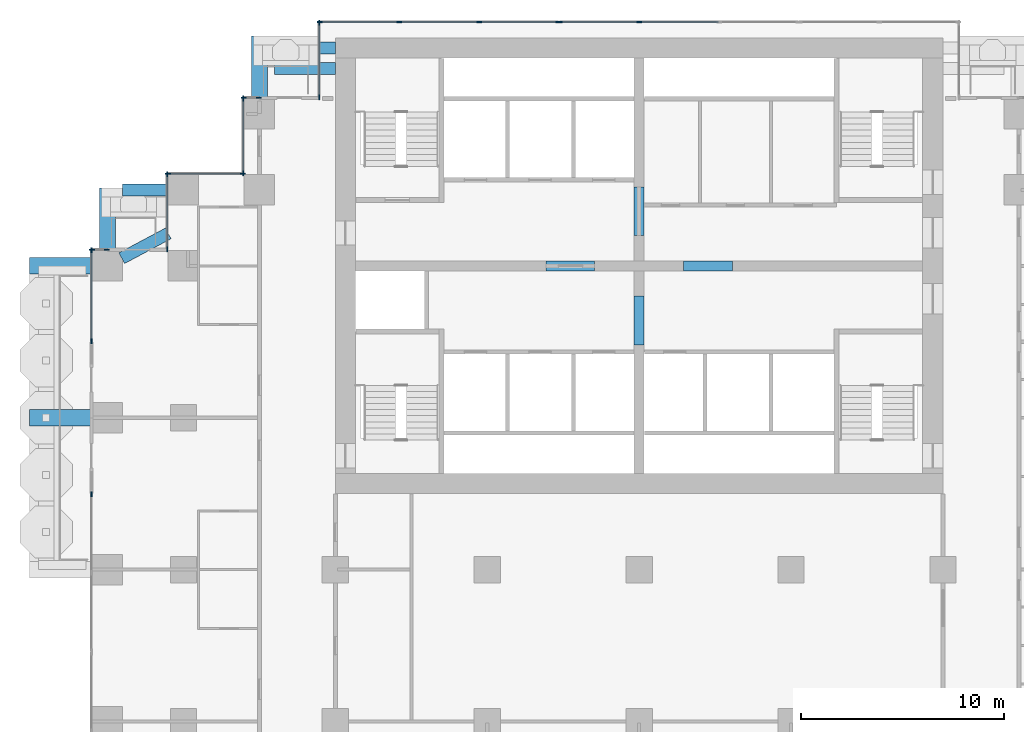
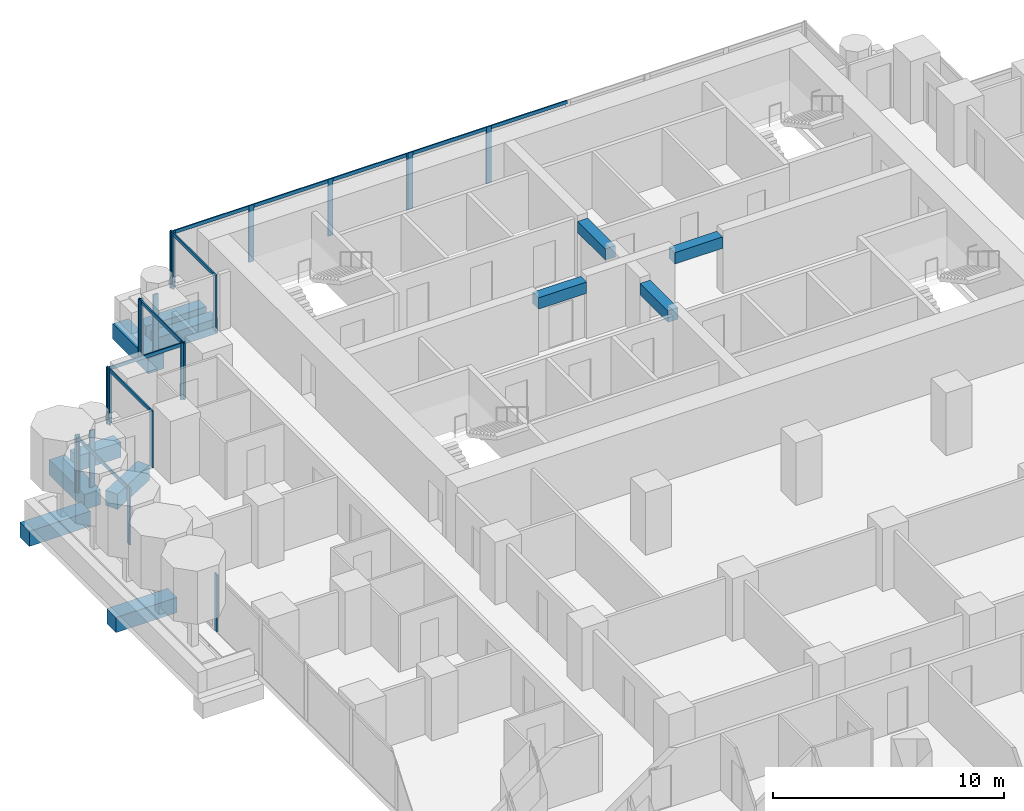
# One storey, part 5 of 18: 31 members, 12 beams, 10 elements without a shape of their own.
"""IFC4 building model written with IfcOpenShell, lengths in metres."""

from ifc_helpers import new_model, si_unit, direction, frame, origin, origin_2d, place, context, subcontext, project, spatial, rectangle, extrude, material, material_profile, profile_set, type_object, element, aggregate, save


model = new_model("IFC4")

# Units and contexts
model_context = context("Model", 3, precision=1e-05, world=origin(), true_north=direction((0.0, 1.0)))
body_context = subcontext(model_context, "Body", "Model", "MODEL_VIEW")
ifc_project = project(units=[si_unit("LENGTHUNIT", "METRE"), si_unit("AREAUNIT", "SQUARE_METRE"), si_unit("VOLUMEUNIT", "CUBIC_METRE"), si_unit("PLANEANGLEUNIT", "RADIAN"), si_unit("MASSUNIT", "GRAM", prefix="KILO")], contexts=[model_context])

# Site, building, storey
site_placement = place(None, origin())
site = spatial("IfcSite", under=ifc_project, at=site_placement, CompositionType="ELEMENT")
building_placement = place(site_placement, origin())
building = spatial("IfcBuilding", under=site, at=building_placement, Name="Pilkhan Gate Tower", CompositionType="ELEMENT")
storey_placement = place(building_placement, frame((0.0, 0.0, 56.0)))
storey = spatial("IfcBuildingStorey", under=building, at=storey_placement, Name="L11", CompositionType="ELEMENT", Elevation=56.0)

# Beams
ifc_material_1 = material(Name="Concrete C50/60", Category="concrete")
ifc_material_profile_1 = material_profile(ifc_material_1, rectangle(XDim=0.60009765625, YDim=0.800048828125, at=origin_2d()), Name="RC 600x800")
ifc_profile_set_1 = profile_set([ifc_material_profile_1], Name="Concrete C50/60")
beam_type_1 = type_object("IfcBeamType", Name="Cantilever beam CB1 RC 600x800 C50/60", PredefinedType="BEAM", material=ifc_profile_set_1)
for number, where, z_axis, x_axis, name in (
    (1, (60.0, 93.25, -0.699951171875), (-1.0, 0.0, 0.0), (0.0, -1.0, 0.0), "Balcony beam NW.2 L11"),
    (2, (60.0, 92.25, -0.699951171875), (-1.0, 0.0, 0.0), (0.0, -1.0, 0.0), "Balcony beam NW.3 L11"),
):
    element("IfcBeam", number, at=place(storey_placement, frame(where, z_axis=z_axis, x_axis=x_axis)), inside=storey, type_object=beam_type_1, Name=name, PredefinedType="BEAM", context=body_context, shape_type="SweptSolid", body=[
        extrude(rectangle(XDim=0.60009765625, YDim=0.800048828125, at=origin_2d()), origin(), (0.0, 0.0, 1.0), 3.0),
    ])
beam_1_placement = place(storey_placement, frame((51.699951171875, 86.25, -0.699951171875), z_axis=(-1.0, 0.0, 0.0), x_axis=(0.0, -1.0, 0.0)))
element("IfcBeam", 3, at=beam_1_placement, inside=storey, type_object=beam_type_1, Name="Balcony beam NW2.2 L11", PredefinedType="BEAM", context=body_context, shape_type="SweptSolid", body=[
    extrude(rectangle(XDim=0.60009765625, YDim=0.800048828125, at=origin_2d()), origin(), (0.0, 0.0, 1.0), 2.199951171875),
])
beam_2_placement = place(storey_placement, frame((49.455810546875, 82.87646484375, -0.699951171875), z_axis=(0.882342544151, 0.470607729199, 0.0), x_axis=(-0.470607729199, 0.882342544151, 0.0)))
element("IfcBeam", 4, at=beam_2_placement, inside=storey, type_object=beam_type_1, Name="Balcony beam NW2.3 L11", PredefinedType="BEAM", context=body_context, shape_type="SweptSolid", body=[
    extrude(rectangle(XDim=0.60009765625, YDim=0.800048828125, at=origin_2d()), origin(), (0.0, 0.0, 1.0), 2.60009765625),
])
ifc_material_profile_2 = material_profile(ifc_material_1, rectangle(XDim=0.800048828125, YDim=0.800048828125, at=origin_2d()), Name="RC 800x800")
ifc_profile_set_2 = profile_set([ifc_material_profile_2], Name="Concrete C50/60")
beam_type_2 = type_object("IfcBeamType", Name="Cantilever beam CB2 RC 800x800 C50/60", PredefinedType="BEAM", material=ifc_profile_set_2)
for number, where, z_axis, x_axis, name in (
    (5, (56.25, 90.800048828125, -0.699951171875), (0.0, 1.0, 0.0), (-1.0, 0.0, 0.0), "Balcony beam NW.1 L11"),
    (6, (48.75, 83.300048828125, -0.699951171875), (0.0, 1.0, 0.0), (-1.0, 0.0, 0.0), "Balcony beam NW2.1 L11"),
    (7, (47.949951171875, 75.0, -0.699951171875), (-1.0, 0.0, 0.0), (0.0, -1.0, 0.0), "Balcony beam W.2 L11"),
    (8, (47.949951171875, 82.5, -0.699951171875), (-1.0, 0.0, 0.0), (0.0, -1.0, 0.0), "Balcony beam W.3 L11"),
):
    element("IfcBeam", number, at=place(storey_placement, frame(where, z_axis=z_axis, x_axis=x_axis)), inside=storey, type_object=beam_type_2, Name=name, PredefinedType="BEAM", context=body_context, shape_type="SweptSolid", body=[
        extrude(rectangle(XDim=0.800048828125, YDim=0.800048828125, at=origin_2d()), origin(), (0.0, 0.0, 1.0), 3.050048828125),
    ])
ifc_material_2 = material(Name="Concrete C70/85", Category="concrete")
ifc_material_profile_3 = material_profile(ifc_material_2, rectangle(XDim=0.5, YDim=0.60009765625, at=origin_2d()), Name="RC 500x600")
ifc_profile_set_3 = profile_set([ifc_material_profile_3], Name="Concrete C70/85")
beam_type_3 = type_object("IfcBeamType", Name="Coupling beam CB60 RC 500x600 C70/85", PredefinedType="LINTEL", material=ifc_profile_set_3)
for number, where, z_axis, x_axis, name in (
    (9, (70.39990234375, 82.5, 2.699951171875), (1.0, 0.0, 0.0), (0.0, 1.0, 0.0), "Coupling beam 1 L11"),
    (10, (77.199951171875, 82.5, 2.699951171875), (1.0, 0.0, 0.0), (0.0, 1.0, 0.0), "Coupling beam 2 L11"),
):
    element("IfcBeam", number, at=place(storey_placement, frame(where, z_axis=z_axis, x_axis=x_axis)), inside=storey, type_object=beam_type_3, Name=name, PredefinedType="LINTEL", context=body_context, shape_type="SweptSolid", body=[
        extrude(rectangle(XDim=0.5, YDim=0.60009765625, at=origin_2d()), origin(), (0.0, 0.0, 1.0), 2.400146484375),
    ])
for number, where, z_axis, x_axis, name in (
    (11, (75.0, 78.60009765625, 2.699951171875), (0.0, 1.0, 0.0), (-1.0, 0.0, 0.0), "Coupling beam 3 L11"),
    (12, (75.0, 84.0, 2.699951171875), (0.0, 1.0, 0.0), (-1.0, 0.0, 0.0), "Coupling beam 4 L11"),
):
    element("IfcBeam", number, at=place(storey_placement, frame(where, z_axis=z_axis, x_axis=x_axis)), inside=storey, type_object=beam_type_3, Name=name, PredefinedType="LINTEL", context=body_context, shape_type="SweptSolid", body=[
        extrude(rectangle(XDim=0.5, YDim=0.60009765625, at=origin_2d()), origin(), (0.0, 0.0, 1.0), 2.39990234375),
    ])

# Curtain wall, members
ifc_material_3 = material(Name="Pale anodised aluminium, clear low-iron double glazing", Category="aluminium")
curtain_wall_type = type_object("IfcCurtainWallType", Name="Hotel unitised curtain wall CW-H", PredefinedType="USERDEFINED", material=ifc_material_3)
curtain_wall_1_placement = place(storey_placement, origin())
curtain_wall_1 = element("IfcCurtainWall", 13, at=curtain_wall_1_placement, inside=storey, type_object=curtain_wall_type, Name="Hotel unitised curtain wall CW-H L11 N", ObjectType="UNITISED CURTAIN WALL", PredefinedType="USERDEFINED")
ifc_material_4 = material(Name="Pale anodised aluminium", Category="aluminium")
ifc_material_profile_4 = material_profile(ifc_material_4, rectangle(XDim=0.06494140625, YDim=0.25, at=origin_2d()), Name="Mullion 250x65")
ifc_profile_set_4 = profile_set([ifc_material_profile_4], Name="Pale anodised aluminium")
member_type_1 = type_object("IfcMemberType", Name="Mullion CW-H 250x65", PredefinedType="MULLION", material=ifc_profile_set_4)
member_1_placement = place(storey_placement, frame((59.237548828125, 94.544921875, 0.0), z_axis=(0.0, 0.0, 1.0), x_axis=(0.0, 1.0, 0.0)))
member_1 = element("IfcMember", 14, at=member_1_placement, type_object=member_type_1, Name="CW-H mullion 1", PredefinedType="MULLION", context=body_context, shape_type="SweptSolid", body=[
    extrude(rectangle(XDim=0.06494140625, YDim=0.25, at=origin_2d()), origin(), (0.0, 0.0, 1.0), 3.0),
])
member_2_placement = place(storey_placement, frame((63.15380859375, 94.544921875, 0.0), z_axis=(0.0, 0.0, 1.0), x_axis=(0.0, 1.0, 0.0)))
member_2 = element("IfcMember", 15, at=member_2_placement, type_object=member_type_1, Name="CW-H mullion 2", PredefinedType="MULLION", context=body_context, shape_type="SweptSolid", body=[
    extrude(rectangle(XDim=0.06494140625, YDim=0.25, at=origin_2d()), origin(), (0.0, 0.0, 1.0), 3.0),
])
member_3_placement = place(storey_placement, frame((67.1025390625, 94.544921875, 0.0), z_axis=(0.0, 0.0, 1.0), x_axis=(0.0, 1.0, 0.0)))
member_3 = element("IfcMember", 16, at=member_3_placement, type_object=member_type_1, Name="CW-H mullion 3", PredefinedType="MULLION", context=body_context, shape_type="SweptSolid", body=[
    extrude(rectangle(XDim=0.06494140625, YDim=0.25, at=origin_2d()), origin(), (0.0, 0.0, 1.0), 3.0),
])
member_4_placement = place(storey_placement, frame((71.018798828125, 94.544921875, 0.0), z_axis=(0.0, 0.0, 1.0), x_axis=(0.0, 1.0, 0.0)))
member_4 = element("IfcMember", 17, at=member_4_placement, type_object=member_type_1, Name="CW-H mullion 4", PredefinedType="MULLION", context=body_context, shape_type="SweptSolid", body=[
    extrude(rectangle(XDim=0.06494140625, YDim=0.25, at=origin_2d()), origin(), (0.0, 0.0, 1.0), 3.0),
])

curtain_wall_2_placement = place(storey_placement, origin())
curtain_wall_2 = element("IfcCurtainWall", 18, at=curtain_wall_2_placement, inside=storey, type_object=curtain_wall_type, Name="Hotel unitised curtain wall CW-H L11 N", ObjectType="UNITISED CURTAIN WALL", PredefinedType="USERDEFINED")
member_5_placement = place(storey_placement, frame((71.083740234375, 94.544921875, 0.0), z_axis=(0.0, 0.0, 1.0), x_axis=(0.0, 1.0, 0.0)))
member_5 = element("IfcMember", 19, at=member_5_placement, type_object=member_type_1, Name="CW-H mullion 1", PredefinedType="MULLION", context=body_context, shape_type="SweptSolid", body=[
    extrude(rectangle(XDim=0.06494140625, YDim=0.25, at=origin_2d()), origin(), (0.0, 0.0, 1.0), 3.0),
])
member_6_placement = place(storey_placement, frame((75.0, 94.544921875, 0.0), z_axis=(0.0, 0.0, 1.0), x_axis=(0.0, 1.0, 0.0)))
member_6 = element("IfcMember", 20, at=member_6_placement, type_object=member_type_1, Name="CW-H mullion 2", PredefinedType="MULLION", context=body_context, shape_type="SweptSolid", body=[
    extrude(rectangle(XDim=0.06494140625, YDim=0.25, at=origin_2d()), origin(), (0.0, 0.0, 1.0), 3.0),
])

curtain_wall_3_placement = place(storey_placement, origin())
curtain_wall_3 = element("IfcCurtainWall", 21, at=curtain_wall_3_placement, inside=storey, type_object=curtain_wall_type, Name="Hotel unitised curtain wall CW-H L11 W", ObjectType="UNITISED CURTAIN WALL", PredefinedType="USERDEFINED")
member_7_placement = place(storey_placement, frame((59.205078125, 90.827392578125, 0.0), z_axis=(0.0, 0.0, 1.0), x_axis=(-1.0, 0.0, 0.0)))
member_7 = element("IfcMember", 22, at=member_7_placement, type_object=member_type_1, Name="CW-H mullion 1", PredefinedType="MULLION", context=body_context, shape_type="SweptSolid", body=[
    extrude(rectangle(XDim=0.06494140625, YDim=0.25, at=origin_2d()), origin(), (0.0, 0.0, 1.0), 3.0),
])
member_8_placement = place(storey_placement, frame((59.205078125, 94.512451171875, 0.0), z_axis=(0.0, 0.0, 1.0), x_axis=(-1.0, 0.0, 0.0)))
member_8 = element("IfcMember", 23, at=member_8_placement, type_object=member_type_1, Name="CW-H mullion 2", PredefinedType="MULLION", context=body_context, shape_type="SweptSolid", body=[
    extrude(rectangle(XDim=0.06494140625, YDim=0.25, at=origin_2d()), origin(), (0.0, 0.0, 1.0), 3.0),
])

curtain_wall_4_placement = place(storey_placement, origin())
curtain_wall_4 = element("IfcCurtainWall", 24, at=curtain_wall_4_placement, inside=storey, type_object=curtain_wall_type, Name="Hotel unitised curtain wall CW-H L11 N", ObjectType="UNITISED CURTAIN WALL", PredefinedType="USERDEFINED")
member_9_placement = place(storey_placement, frame((55.487548828125, 90.794921875, 0.0), z_axis=(0.0, 0.0, 1.0), x_axis=(0.0, 1.0, 0.0)))
member_9 = element("IfcMember", 25, at=member_9_placement, type_object=member_type_1, Name="CW-H mullion 1", PredefinedType="MULLION", context=body_context, shape_type="SweptSolid", body=[
    extrude(rectangle(XDim=0.06494140625, YDim=0.25, at=origin_2d()), origin(), (0.0, 0.0, 1.0), 3.0),
])
member_10_placement = place(storey_placement, frame((56.217529296875, 90.794921875, 0.0), z_axis=(0.0, 0.0, 1.0), x_axis=(0.0, 1.0, 0.0)))
member_10 = element("IfcMember", 26, at=member_10_placement, type_object=member_type_1, Name="CW-H mullion 2", PredefinedType="MULLION", context=body_context, shape_type="SweptSolid", body=[
    extrude(rectangle(XDim=0.06494140625, YDim=0.25, at=origin_2d()), origin(), (0.0, 0.0, 1.0), 3.0),
])
aggregate(curtain_wall_4, [member_9, member_10])

curtain_wall_5_placement = place(storey_placement, origin())
curtain_wall_5 = element("IfcCurtainWall", 27, at=curtain_wall_5_placement, inside=storey, type_object=curtain_wall_type, Name="Hotel unitised curtain wall CW-H L11 W", ObjectType="UNITISED CURTAIN WALL", PredefinedType="USERDEFINED")
member_11_placement = place(storey_placement, frame((55.455078125, 87.077392578125, 0.0), z_axis=(0.0, 0.0, 1.0), x_axis=(-1.0, 0.0, 0.0)))
member_11 = element("IfcMember", 28, at=member_11_placement, type_object=member_type_1, Name="CW-H mullion 1", PredefinedType="MULLION", context=body_context, shape_type="SweptSolid", body=[
    extrude(rectangle(XDim=0.06494140625, YDim=0.25, at=origin_2d()), origin(), (0.0, 0.0, 1.0), 3.0),
])
member_12_placement = place(storey_placement, frame((55.455078125, 90.762451171875, 0.0), z_axis=(0.0, 0.0, 1.0), x_axis=(-1.0, 0.0, 0.0)))
member_12 = element("IfcMember", 29, at=member_12_placement, type_object=member_type_1, Name="CW-H mullion 2", PredefinedType="MULLION", context=body_context, shape_type="SweptSolid", body=[
    extrude(rectangle(XDim=0.06494140625, YDim=0.25, at=origin_2d()), origin(), (0.0, 0.0, 1.0), 3.0),
])

curtain_wall_6_placement = place(storey_placement, origin())
curtain_wall_6 = element("IfcCurtainWall", 30, at=curtain_wall_6_placement, inside=storey, type_object=curtain_wall_type, Name="Hotel unitised curtain wall CW-H L11 N", ObjectType="UNITISED CURTAIN WALL", PredefinedType="USERDEFINED")
member_13_placement = place(storey_placement, frame((51.737548828125, 87.044921875, 0.0), z_axis=(0.0, 0.0, 1.0), x_axis=(0.0, 1.0, 0.0)))
member_13 = element("IfcMember", 31, at=member_13_placement, type_object=member_type_1, Name="CW-H mullion 1", PredefinedType="MULLION", context=body_context, shape_type="SweptSolid", body=[
    extrude(rectangle(XDim=0.06494140625, YDim=0.25, at=origin_2d()), origin(), (0.0, 0.0, 1.0), 3.0),
])
member_14_placement = place(storey_placement, frame((55.422607421875, 87.044921875, 0.0), z_axis=(0.0, 0.0, 1.0), x_axis=(0.0, 1.0, 0.0)))
member_14 = element("IfcMember", 32, at=member_14_placement, type_object=member_type_1, Name="CW-H mullion 2", PredefinedType="MULLION", context=body_context, shape_type="SweptSolid", body=[
    extrude(rectangle(XDim=0.06494140625, YDim=0.25, at=origin_2d()), origin(), (0.0, 0.0, 1.0), 3.0),
])

curtain_wall_7_placement = place(storey_placement, origin())
curtain_wall_7 = element("IfcCurtainWall", 33, at=curtain_wall_7_placement, inside=storey, type_object=curtain_wall_type, Name="Hotel unitised curtain wall CW-H L11 W", ObjectType="UNITISED CURTAIN WALL", PredefinedType="USERDEFINED")
member_15_placement = place(storey_placement, frame((51.705078125, 83.327392578125, 0.0), z_axis=(0.0, 0.0, 1.0), x_axis=(-1.0, 0.0, 0.0)))
member_15 = element("IfcMember", 34, at=member_15_placement, type_object=member_type_1, Name="CW-H mullion 1", PredefinedType="MULLION", context=body_context, shape_type="SweptSolid", body=[
    extrude(rectangle(XDim=0.06494140625, YDim=0.25, at=origin_2d()), origin(), (0.0, 0.0, 1.0), 3.0),
])
member_16_placement = place(storey_placement, frame((51.705078125, 87.012451171875, 0.0), z_axis=(0.0, 0.0, 1.0), x_axis=(-1.0, 0.0, 0.0)))
member_16 = element("IfcMember", 35, at=member_16_placement, type_object=member_type_1, Name="CW-H mullion 2", PredefinedType="MULLION", context=body_context, shape_type="SweptSolid", body=[
    extrude(rectangle(XDim=0.06494140625, YDim=0.25, at=origin_2d()), origin(), (0.0, 0.0, 1.0), 3.0),
])

curtain_wall_8_placement = place(storey_placement, origin())
curtain_wall_8 = element("IfcCurtainWall", 36, at=curtain_wall_8_placement, inside=storey, type_object=curtain_wall_type, Name="Hotel unitised curtain wall CW-H L11 N", ObjectType="UNITISED CURTAIN WALL", PredefinedType="USERDEFINED")
member_17_placement = place(storey_placement, frame((47.987548828125, 83.294921875, 0.0), z_axis=(0.0, 0.0, 1.0), x_axis=(0.0, 1.0, 0.0)))
member_17 = element("IfcMember", 37, at=member_17_placement, type_object=member_type_1, Name="CW-H mullion 1", PredefinedType="MULLION", context=body_context, shape_type="SweptSolid", body=[
    extrude(rectangle(XDim=0.06494140625, YDim=0.25, at=origin_2d()), origin(), (0.0, 0.0, 1.0), 3.0),
])
member_18_placement = place(storey_placement, frame((48.717529296875, 83.294921875, 0.0), z_axis=(0.0, 0.0, 1.0), x_axis=(0.0, 1.0, 0.0)))
member_18 = element("IfcMember", 38, at=member_18_placement, type_object=member_type_1, Name="CW-H mullion 2", PredefinedType="MULLION", context=body_context, shape_type="SweptSolid", body=[
    extrude(rectangle(XDim=0.06494140625, YDim=0.25, at=origin_2d()), origin(), (0.0, 0.0, 1.0), 3.0),
])
aggregate(curtain_wall_8, [member_17, member_18])

# Curtain wall, member
curtain_wall_9_placement = place(storey_placement, origin())
curtain_wall_9 = element("IfcCurtainWall", 39, at=curtain_wall_9_placement, inside=storey, type_object=curtain_wall_type, Name="Hotel unitised curtain wall CW-H L11 W", ObjectType="UNITISED CURTAIN WALL", PredefinedType="USERDEFINED")
member_19_placement = place(storey_placement, frame((47.955078125, 71.217529296875, 0.0), z_axis=(0.0, 0.0, 1.0), x_axis=(-1.0, 0.0, 0.0)))
member_19 = element("IfcMember", 40, at=member_19_placement, type_object=member_type_1, Name="CW-H mullion 3", PredefinedType="MULLION", context=body_context, shape_type="SweptSolid", body=[
    extrude(rectangle(XDim=0.06494140625, YDim=0.25, at=origin_2d()), origin(), (0.0, 0.0, 1.0), 3.0),
])
aggregate(curtain_wall_9, [member_19])

# Curtain wall, members
curtain_wall_10_placement = place(storey_placement, origin())
curtain_wall_10 = element("IfcCurtainWall", 41, at=curtain_wall_10_placement, inside=storey, type_object=curtain_wall_type, Name="Hotel unitised curtain wall CW-H L11 W", ObjectType="UNITISED CURTAIN WALL", PredefinedType="USERDEFINED")
member_20_placement = place(storey_placement, frame((47.955078125, 78.782470703125, 0.0), z_axis=(0.0, 0.0, 1.0), x_axis=(-1.0, 0.0, 0.0)))
member_20 = element("IfcMember", 42, at=member_20_placement, type_object=member_type_1, Name="CW-H mullion 1", PredefinedType="MULLION", context=body_context, shape_type="SweptSolid", body=[
    extrude(rectangle(XDim=0.06494140625, YDim=0.25, at=origin_2d()), origin(), (0.0, 0.0, 1.0), 3.0),
])
member_21_placement = place(storey_placement, frame((47.955078125, 83.262451171875, 0.0), z_axis=(0.0, 0.0, 1.0), x_axis=(-1.0, 0.0, 0.0)))
member_21 = element("IfcMember", 43, at=member_21_placement, type_object=member_type_1, Name="CW-H mullion 2", PredefinedType="MULLION", context=body_context, shape_type="SweptSolid", body=[
    extrude(rectangle(XDim=0.06494140625, YDim=0.25, at=origin_2d()), origin(), (0.0, 0.0, 1.0), 3.0),
])

# Member
ifc_material_profile_5 = material_profile(ifc_material_4, rectangle(XDim=0.06494140625, YDim=0.179931640625, at=origin_2d()), Name="Transom 180x65")
ifc_profile_set_5 = profile_set([ifc_material_profile_5], Name="Pale anodised aluminium")
member_type_2 = type_object("IfcMemberType", Name="Transom CW-H 180x65", PredefinedType="USERDEFINED", material=ifc_profile_set_5)
member_22_placement = place(storey_placement, frame((59.27001953125, 94.544921875, 2.909912109375), z_axis=(1.0, 0.0, 0.0), x_axis=(0.0, 1.0, 0.0)))
member_22 = element("IfcMember", 44, at=member_22_placement, type_object=member_type_2, Name="CW-H transom 1", ObjectType="TRANSOM", PredefinedType="USERDEFINED", context=body_context, shape_type="SweptSolid", body=[
    extrude(rectangle(XDim=0.06494140625, YDim=0.179931640625, at=origin_2d()), origin(), (0.0, 0.0, 1.0), 3.851318359375),
])

member_23_placement = place(storey_placement, frame((63.186279296875, 94.544921875, 2.909912109375), z_axis=(1.0, 0.0, 0.0), x_axis=(0.0, 1.0, 0.0)))
member_23 = element("IfcMember", 45, at=member_23_placement, type_object=member_type_2, Name="CW-H transom 2", ObjectType="TRANSOM", PredefinedType="USERDEFINED", context=body_context, shape_type="SweptSolid", body=[
    extrude(rectangle(XDim=0.06494140625, YDim=0.179931640625, at=origin_2d()), origin(), (0.0, 0.0, 1.0), 3.8837890625),
])

member_24_placement = place(storey_placement, frame((67.135009765625, 94.544921875, 2.909912109375), z_axis=(1.0, 0.0, 0.0), x_axis=(0.0, 1.0, 0.0)))
member_24 = element("IfcMember", 46, at=member_24_placement, type_object=member_type_2, Name="CW-H transom 3", ObjectType="TRANSOM", PredefinedType="USERDEFINED", context=body_context, shape_type="SweptSolid", body=[
    extrude(rectangle(XDim=0.06494140625, YDim=0.179931640625, at=origin_2d()), origin(), (0.0, 0.0, 1.0), 3.851318359375),
])

aggregate(curtain_wall_1, [member_1, member_2, member_3, member_4, member_22, member_23, member_24])

member_25_placement = place(storey_placement, frame((71.1162109375, 94.544921875, 2.909912109375), z_axis=(1.0, 0.0, 0.0), x_axis=(0.0, 1.0, 0.0)))
member_25 = element("IfcMember", 47, at=member_25_placement, type_object=member_type_2, Name="CW-H transom 1", ObjectType="TRANSOM", PredefinedType="USERDEFINED", context=body_context, shape_type="SweptSolid", body=[
    extrude(rectangle(XDim=0.06494140625, YDim=0.179931640625, at=origin_2d()), origin(), (0.0, 0.0, 1.0), 3.851318359375),
])

member_26_placement = place(storey_placement, frame((75.032470703125, 94.544921875, 2.909912109375), z_axis=(1.0, 0.0, 0.0), x_axis=(0.0, 1.0, 0.0)))
member_26 = element("IfcMember", 48, at=member_26_placement, type_object=member_type_2, Name="CW-H transom 2", ObjectType="TRANSOM", PredefinedType="USERDEFINED", context=body_context, shape_type="SweptSolid", body=[
    extrude(rectangle(XDim=0.06494140625, YDim=0.179931640625, at=origin_2d()), origin(), (0.0, 0.0, 1.0), 3.8837890625),
])

aggregate(curtain_wall_2, [member_5, member_6, member_25, member_26])

member_27_placement = place(storey_placement, frame((59.205078125, 90.860107421875, 2.909912109375), z_axis=(0.0, 1.0, 0.0), x_axis=(-1.0, 0.0, 0.0)))
member_27 = element("IfcMember", 49, at=member_27_placement, type_object=member_type_2, Name="CW-H transom 1", ObjectType="TRANSOM", PredefinedType="USERDEFINED", context=body_context, shape_type="SweptSolid", body=[
    extrude(rectangle(XDim=0.06494140625, YDim=0.179931640625, at=origin_2d()), origin(), (0.0, 0.0, 1.0), 3.619873046875),
])

aggregate(curtain_wall_3, [member_7, member_8, member_27])

member_28_placement = place(storey_placement, frame((55.455078125, 87.110107421875, 2.909912109375), z_axis=(0.0, 1.0, 0.0), x_axis=(-1.0, 0.0, 0.0)))
member_28 = element("IfcMember", 50, at=member_28_placement, type_object=member_type_2, Name="CW-H transom 1", ObjectType="TRANSOM", PredefinedType="USERDEFINED", context=body_context, shape_type="SweptSolid", body=[
    extrude(rectangle(XDim=0.06494140625, YDim=0.179931640625, at=origin_2d()), origin(), (0.0, 0.0, 1.0), 3.619873046875),
])

aggregate(curtain_wall_5, [member_11, member_12, member_28])

member_29_placement = place(storey_placement, frame((51.77001953125, 87.044921875, 2.909912109375), z_axis=(1.0, 0.0, 0.0), x_axis=(0.0, 1.0, 0.0)))
member_29 = element("IfcMember", 51, at=member_29_placement, type_object=member_type_2, Name="CW-H transom 1", ObjectType="TRANSOM", PredefinedType="USERDEFINED", context=body_context, shape_type="SweptSolid", body=[
    extrude(rectangle(XDim=0.06494140625, YDim=0.179931640625, at=origin_2d()), origin(), (0.0, 0.0, 1.0), 3.619873046875),
])

aggregate(curtain_wall_6, [member_13, member_14, member_29])

member_30_placement = place(storey_placement, frame((51.705078125, 83.360107421875, 2.909912109375), z_axis=(0.0, 1.0, 0.0), x_axis=(-1.0, 0.0, 0.0)))
member_30 = element("IfcMember", 52, at=member_30_placement, type_object=member_type_2, Name="CW-H transom 1", ObjectType="TRANSOM", PredefinedType="USERDEFINED", context=body_context, shape_type="SweptSolid", body=[
    extrude(rectangle(XDim=0.06494140625, YDim=0.179931640625, at=origin_2d()), origin(), (0.0, 0.0, 1.0), 3.619873046875),
])

aggregate(curtain_wall_7, [member_15, member_16, member_30])

member_31_placement = place(storey_placement, frame((47.955078125, 78.81494140625, 2.909912109375), z_axis=(0.0, 1.0, 0.0), x_axis=(-1.0, 0.0, 0.0)))
member_31 = element("IfcMember", 53, at=member_31_placement, type_object=member_type_2, Name="CW-H transom 1", ObjectType="TRANSOM", PredefinedType="USERDEFINED", context=body_context, shape_type="SweptSolid", body=[
    extrude(rectangle(XDim=0.06494140625, YDim=0.179931640625, at=origin_2d()), origin(), (0.0, 0.0, 1.0), 4.4150390625),
])

aggregate(curtain_wall_10, [member_20, member_21, member_31])

save(model, "model.ifc")
